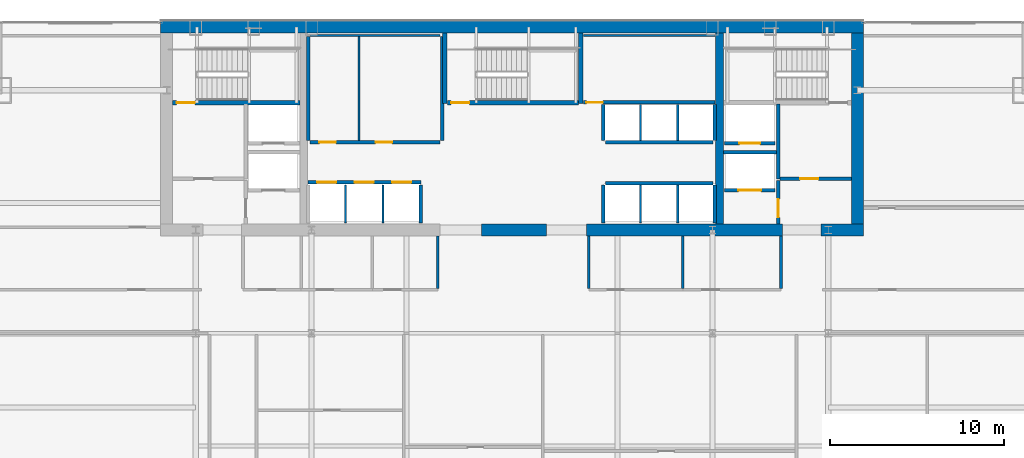
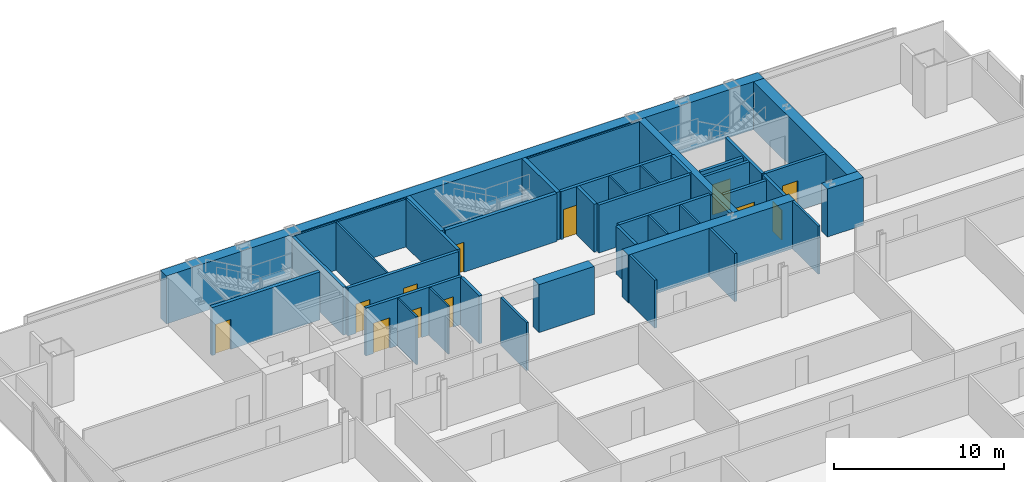
# One storey, part 28 of 32: 41 walls, 12 doors, 12 openings.
"""IFC4 building model written with IfcOpenShell, lengths in metres."""

from ifc_helpers import new_model, si_unit, direction, frame, frame_2d, origin, place, context, subcontext, project, spatial, rectangle, extrude, material, layer, layer_set, type_object, element, fill, save


model = new_model("IFC4")

# Units and contexts
model_context = context("Model", 3, precision=1e-05, world=origin(), true_north=direction((0.0, 1.0)))
body_context = subcontext(model_context, "Body", "Model", "MODEL_VIEW")
ifc_project = project(units=[si_unit("LENGTHUNIT", "METRE"), si_unit("AREAUNIT", "SQUARE_METRE"), si_unit("VOLUMEUNIT", "CUBIC_METRE"), si_unit("PLANEANGLEUNIT", "RADIAN"), si_unit("MASSUNIT", "GRAM", prefix="KILO")], contexts=[model_context])

# Site, building, storey
site_placement = place(None, origin())
site = spatial("IfcSite", under=ifc_project, at=site_placement, CompositionType="ELEMENT")
building_placement = place(site_placement, origin())
building = spatial("IfcBuilding", under=site, at=building_placement, Name="Khoronbel Lancet Exchange", CompositionType="ELEMENT")
storey_placement = place(building_placement, frame((0.0, 0.0, 125.39990234375)))
storey = spatial("IfcBuildingStorey", under=building, at=storey_placement, Name="L30", CompositionType="ELEMENT", Elevation=125.39990234375)

# Walls
ifc_material_1 = material(Name="Concrete C80/95", Category="concrete")
ifc_layer_1 = layer(ifc_material_1, 0.699951171875, Name="Concrete C80/95")
ifc_layer_set_1 = layer_set([ifc_layer_1], Name="Concrete C80/95")
wall_type_1 = type_object("IfcWallType", Name="WL-CW2", PredefinedType="SHEAR", material=ifc_layer_set_1)
wall_1_placement = place(storey_placement, frame((16.199951171875, 53.35009765625, 0.0), z_axis=(0.0, 0.0, 1.0), x_axis=(1.0, 0.0, 0.0)))
element("IfcWall", 1, at=wall_1_placement, inside=storey, type_object=wall_type_1, Name="Level L30 rear core north shear wall", PredefinedType="SHEAR", context=body_context, shape_type="SweptSolid", body=[
    extrude(rectangle(XDim=40.5, YDim=0.699951171875, at=frame_2d((20.25, 0.0))), origin(), (0.0, 0.0, 1.0), 3.440185546875),
])
wall_2_placement = place(storey_placement, frame((56.35009765625, 53.0, 0.0), z_axis=(0.0, 0.0, 1.0), x_axis=(0.0, -1.0, 0.0)))
element("IfcWall", 2, at=wall_2_placement, inside=storey, type_object=wall_type_1, Name="Level L30 rear core east shear wall", PredefinedType="SHEAR", context=body_context, shape_type="SweptSolid", body=[
    extrude(rectangle(XDim=11.0, YDim=0.699951171875, at=frame_2d((5.5, 0.0))), origin(), (0.0, 0.0, 1.0), 3.440185546875),
])
wall_3_placement = place(storey_placement, frame((38.449951171875, 41.64990234375, 0.0), z_axis=(0.0, 0.0, 1.0), x_axis=(-1.0, 0.0, 0.0)))
element("IfcWall", 3, at=wall_3_placement, inside=storey, type_object=wall_type_1, Name="Level L30 rear core south shear wall pier P3", PredefinedType="SHEAR", context=body_context, shape_type="SweptSolid", body=[
    extrude(rectangle(XDim=3.75, YDim=0.699951171875, at=frame_2d((1.875, 0.0))), origin(), (0.0, 0.0, 1.0), 3.440185546875),
])
wall_4_placement = place(storey_placement, frame((52.050048828125, 41.64990234375, 0.0), z_axis=(0.0, 0.0, 1.0), x_axis=(-1.0, 0.0, 0.0)))
element("IfcWall", 4, at=wall_4_placement, inside=storey, type_object=wall_type_1, Name="Level L30 rear core south shear wall pier P4", PredefinedType="SHEAR", context=body_context, shape_type="SweptSolid", body=[
    extrude(rectangle(XDim=11.300048828125, YDim=0.699951171875, at=frame_2d((5.64990234375, 0.0))), origin(), (0.0, 0.0, 1.0), 3.440185546875),
])
wall_5_placement = place(storey_placement, frame((56.699951171875, 41.64990234375, 0.0), z_axis=(0.0, 0.0, 1.0), x_axis=(-1.0, 0.0, 0.0)))
element("IfcWall", 5, at=wall_5_placement, inside=storey, type_object=wall_type_1, Name="Level L30 rear core south shear wall pier P5", PredefinedType="SHEAR", context=body_context, shape_type="SweptSolid", body=[
    extrude(rectangle(XDim=2.449951171875, YDim=0.699951171875, at=frame_2d((1.22509765625, 0.0))), origin(), (0.0, 0.0, 1.0), 3.440185546875),
])
ifc_material_2 = material(Name="Acoustic Metal-Stud & Mineral-Wool Gypsum Partition 120 mm", Category="gypsum")
ifc_layer_2 = layer(ifc_material_2, 0.1201171875, Name="Acoustic Metal-Stud & Mineral-Wool Gypsum Partition 120 mm")
ifc_layer_set_2 = layer_set([ifc_layer_2], Name="Acoustic Metal-Stud & Mineral-Wool Gypsum Partition 120 mm")
wall_type_2 = type_object("IfcWallType", Name="WL-PRT120", PredefinedType="PARTITIONING", material=ifc_layer_set_2)
for number, where, z_axis, x_axis, name in (
    (6, (32.179931640625, 38.280029296875, 0.0), (0.0, 0.0, 1.0), (0.0, 1.0, 0.0), "Level L30 interior partition PW-WC-3"),
    (7, (40.8798828125, 38.280029296875, 0.0), (0.0, 0.0, 1.0), (0.0, 1.0, 0.0), "Level L30 interior partition PW-NP-0"),
    (8, (46.300048828125, 38.280029296875, 0.0), (0.0, 0.0, 1.0), (0.0, 1.0, 0.0), "Level L30 interior partition PW-NP-M"),
    (9, (51.949951171875, 38.280029296875, 0.0), (0.0, 0.0, 1.0), (0.0, 1.0, 0.0), "Level L30 interior partition PW-NP-1"),
):
    element("IfcWall", number, at=place(storey_placement, frame(where, z_axis=z_axis, x_axis=x_axis)), inside=storey, type_object=wall_type_2, Name=name, PredefinedType="PARTITIONING", context=body_context, shape_type="SweptSolid", body=[
        extrude(rectangle(XDim=3.02001953125, YDim=0.14990234375, at=frame_2d((1.510009765625, 0.0))), origin(), (0.0, 0.0, 1.0), 3.440185546875),
    ])
ifc_material_3 = material(Name="Fire-Rated Metal-Stud & Mineral-Wool Gypsum Partition 120 mm", Category="gypsum")
ifc_layer_3 = layer(ifc_material_3, 0.1201171875, Name="Fire-Rated Metal-Stud & Mineral-Wool Gypsum Partition 120 mm")
ifc_layer_set_3 = layer_set([ifc_layer_3], Name="Fire-Rated Metal-Stud & Mineral-Wool Gypsum Partition 120 mm")
wall_type_3 = type_object("IfcWallType", Name="WL-PRT120F", PredefinedType="PARTITIONING", material=ifc_layer_set_3)
wall_6_placement = place(storey_placement, frame((24.804931640625, 52.860107421875, 0.0), z_axis=(0.0, 0.0, 1.0), x_axis=(1.0, 0.0, 0.0)))
element("IfcWall", 10, at=wall_6_placement, inside=storey, type_object=wall_type_3, Name="Level L30 interior partition CW-PL-RN", PredefinedType="PARTITIONING", context=body_context, shape_type="SweptSolid", body=[
    extrude(rectangle(XDim=7.510009765625, YDim=0.1201171875, at=frame_2d((3.7548828125, 0.0))), origin(), (0.0, 0.0, 1.0), 3.440185546875),
])
wall_7_placement = place(storey_placement, frame((27.633544921875, 46.804931640625, 0.0), z_axis=(0.0, 0.0, 1.0), x_axis=(0.0, 1.0, 0.0)))
element("IfcWall", 11, at=wall_7_placement, inside=storey, type_object=wall_type_3, Name="Level L30 interior partition CW-PL-RS1", PredefinedType="PARTITIONING", context=body_context, shape_type="SweptSolid", body=[
    extrude(rectangle(XDim=5.989990234375, YDim=0.1201171875, at=frame_2d((2.9951171875, 0.0))), origin(), (0.0, 0.0, 1.0), 3.440185546875),
])
for number, where, z_axis, x_axis, name in (
    (12, (26.860107421875, 42.050048828125, 0.0), (0.0, 0.0, 1.0), (0.0, 1.0, 0.0), "Level L30 interior partition CW-PM-D1"),
    (13, (29.02001953125, 42.050048828125, 0.0), (0.0, 0.0, 1.0), (0.0, 1.0, 0.0), "Level L30 interior partition CW-PM-D2"),
):
    element("IfcWall", number, at=place(storey_placement, frame(where, z_axis=z_axis, x_axis=x_axis)), inside=storey, type_object=wall_type_3, Name=name, PredefinedType="PARTITIONING", context=body_context, shape_type="SweptSolid", body=[
        extrude(rectangle(XDim=2.199951171875, YDim=0.1201171875, at=frame_2d((1.10009765625, 0.0))), origin(), (0.0, 0.0, 1.0), 3.440185546875),
    ])
for number, where, z_axis, x_axis, name in (
    (14, (43.860107421875, 46.804931640625, 0.0), (0.0, 0.0, 1.0), (0.0, 1.0, 0.0), "Level L30 interior partition CW-PH-D1"),
    (15, (46.0, 46.804931640625, 0.0), (0.0, 0.0, 1.0), (0.0, 1.0, 0.0), "Level L30 interior partition CW-PH-D2"),
):
    element("IfcWall", number, at=place(storey_placement, frame(where, z_axis=z_axis, x_axis=x_axis)), inside=storey, type_object=wall_type_3, Name=name, PredefinedType="PARTITIONING", context=body_context, shape_type="SweptSolid", body=[
        extrude(rectangle(XDim=2.090087890625, YDim=0.1201171875, at=frame_2d((1.044921875, 0.0))), origin(), (0.0, 0.0, 1.0), 3.440185546875),
    ])
for number, where, z_axis, x_axis, name in (
    (16, (43.860107421875, 42.050048828125, 0.0), (0.0, 0.0, 1.0), (0.0, 1.0, 0.0), "Level L30 interior partition CW-PX-D1"),
    (17, (46.0, 42.050048828125, 0.0), (0.0, 0.0, 1.0), (0.0, 1.0, 0.0), "Level L30 interior partition CW-PX-D2"),
):
    element("IfcWall", number, at=place(storey_placement, frame(where, z_axis=z_axis, x_axis=x_axis)), inside=storey, type_object=wall_type_3, Name=name, PredefinedType="PARTITIONING", context=body_context, shape_type="SweptSolid", body=[
        extrude(rectangle(XDim=2.195068359375, YDim=0.1201171875, at=frame_2d((1.09765625, 0.0))), origin(), (0.0, 0.0, 1.0), 3.440185546875),
    ])
wall_8_placement = place(storey_placement, frame((40.580078125, 52.860107421875, 0.0), z_axis=(0.0, 0.0, 1.0), x_axis=(1.0, 0.0, 0.0)))
element("IfcWall", 18, at=wall_8_placement, inside=storey, type_object=wall_type_3, Name="Level L30 interior partition CW-SUP-NE-N", PredefinedType="PARTITIONING", context=body_context, shape_type="SweptSolid", body=[
    extrude(rectangle(XDim=7.559814453125, YDim=0.1201171875, at=frame_2d((3.77978515625, 0.0))), origin(), (0.0, 0.0, 1.0), 3.440185546875),
])

# Wall, openings, doors
ifc_material_4 = material(Name="Autoclaved Aerated Concrete Blockwork 200 mm", Category="masonry")
ifc_layer_4 = layer(ifc_material_4, 0.199951171875, Name="Autoclaved Aerated Concrete Blockwork 200 mm")
ifc_layer_set_4 = layer_set([ifc_layer_4], Name="Autoclaved Aerated Concrete Blockwork 200 mm")
wall_type_4 = type_object("IfcWallType", Name="WL-PRT200", PredefinedType="PARTITIONING", material=ifc_layer_set_4)
wall_9_placement = place(storey_placement, frame((24.68994140625, 44.39990234375, 0.0), z_axis=(0.0, 0.0, 1.0), x_axis=(1.0, 0.0, 0.0)))
wall_9 = element("IfcWall", 19, at=wall_9_placement, inside=storey, type_object=wall_type_4, Name="Level L30 elevator hoistway landing front wall PMW", PredefinedType="PARTITIONING", context=body_context, shape_type="SweptSolid", body=[
    extrude(rectangle(XDim=6.530029296875, YDim=0.199951171875, at=frame_2d((3.26513671875, 0.0))), origin(), (0.0, 0.0, 1.0), 3.440185546875),
])
opening_1_placement = place(wall_9_placement, frame((0.530029296875, 0.0, 0.0)))
opening_1 = element("IfcOpeningElement", 20, at=opening_1_placement, cuts=wall_9, Name="Opening LD-PM1", PredefinedType="OPENING", context=body_context, shape_type="SweptSolid", body=[
    extrude(rectangle(XDim=1.10009765625, YDim=2.179931640625, at=frame_2d((0.550048828125, 1.08984375))), frame((0.0, 0.10986328125, 0.0), z_axis=(0.0, -1.0, 0.0), x_axis=(1.0, 0.0, 0.0)), (0.0, 0.0, 1.0), 0.219970703125),
])
opening_2_placement = place(wall_9_placement, frame((2.68994140625, 0.0, 0.0)))
opening_2 = element("IfcOpeningElement", 21, at=opening_2_placement, cuts=wall_9, Name="Opening LD-PM2", PredefinedType="OPENING", context=body_context, shape_type="SweptSolid", body=[
    extrude(rectangle(XDim=1.10009765625, YDim=2.179931640625, at=frame_2d((0.550048828125, 1.08984375))), frame((0.0, 0.10986328125, 0.0), z_axis=(0.0, -1.0, 0.0), x_axis=(1.0, 0.0, 0.0)), (0.0, 0.0, 1.0), 0.219970703125),
])
opening_3_placement = place(wall_9_placement, frame((4.85009765625, 0.0, 0.0)))
opening_3 = element("IfcOpeningElement", 22, at=opening_3_placement, cuts=wall_9, Name="Opening LD-PM3", PredefinedType="OPENING", context=body_context, shape_type="SweptSolid", body=[
    extrude(rectangle(XDim=1.10009765625, YDim=2.179931640625, at=frame_2d((0.550048828125, 1.08984375))), frame((0.0, 0.10986328125, 0.0), z_axis=(0.0, -1.0, 0.0), x_axis=(1.0, 0.0, 0.0)), (0.0, 0.0, 1.0), 0.219970703125),
])
ifc_material_5 = material(Name="Brushed Bronze Bi-Parting Elevator Landing Door", Category="steel")
door_type_1 = type_object("IfcDoorType", Name="DR-LD-PAX", OperationType="NOTDEFINED", PredefinedType="DOOR", material=ifc_material_5)
door_1_placement = place(opening_1_placement, origin())
door_1 = element("IfcDoor", 23, at=door_1_placement, inside=storey, type_object=door_type_1, Name="Elevator landing sliding door LD-PM1 L30", OperationType="SLIDING_TO_LEFT", OverallHeight=2.179931640625, OverallWidth=1.10009765625, PredefinedType="DOOR", context=body_context, shape_type="SweptSolid", body=[
    extrude(rectangle(XDim=1.10009765625, YDim=2.179931640625, at=frame_2d((0.550048828125, 1.08984375))), frame((0.0, 0.02490234375, 0.0), z_axis=(0.0, -1.0, 0.0), x_axis=(1.0, 0.0, 0.0)), (0.0, 0.0, 1.0), 0.050048828125),
])
fill(opening_1, door_1)
door_2_placement = place(opening_2_placement, origin())
door_2 = element("IfcDoor", 24, at=door_2_placement, inside=storey, type_object=door_type_1, Name="Elevator landing sliding door LD-PM2 L30", OperationType="SLIDING_TO_LEFT", OverallHeight=2.179931640625, OverallWidth=1.10009765625, PredefinedType="DOOR", context=body_context, shape_type="SweptSolid", body=[
    extrude(rectangle(XDim=1.10009765625, YDim=2.179931640625, at=frame_2d((0.550048828125, 1.08984375))), frame((0.0, 0.02490234375, 0.0), z_axis=(0.0, -1.0, 0.0), x_axis=(1.0, 0.0, 0.0)), (0.0, 0.0, 1.0), 0.050048828125),
])
fill(opening_2, door_2)
door_3_placement = place(opening_3_placement, origin())
door_3 = element("IfcDoor", 25, at=door_3_placement, inside=storey, type_object=door_type_1, Name="Elevator landing sliding door LD-PM3 L30", OperationType="SLIDING_TO_LEFT", OverallHeight=2.179931640625, OverallWidth=1.10009765625, PredefinedType="DOOR", context=body_context, shape_type="SweptSolid", body=[
    extrude(rectangle(XDim=1.10009765625, YDim=2.179931640625, at=frame_2d((0.550048828125, 1.08984375))), frame((0.0, 0.02490234375, 0.0), z_axis=(0.0, -1.0, 0.0), x_axis=(1.0, 0.0, 0.0)), (0.0, 0.0, 1.0), 0.050048828125),
])
fill(opening_3, door_3)

# Wall, opening, door
wall_10_placement = place(storey_placement, frame((51.610107421875, 43.949951171875, 0.0), z_axis=(0.0, 0.0, 1.0), x_axis=(-1.0, 0.0, 0.0)))
wall_10 = element("IfcWall", 26, at=wall_10_placement, inside=storey, type_object=wall_type_4, Name="Level L30 elevator hoistway landing front wall SVLE", PredefinedType="PARTITIONING", context=body_context, shape_type="SweptSolid", body=[
    extrude(rectangle(XDim=2.920166015625, YDim=0.199951171875, at=frame_2d((1.4599609375, 0.0))), origin(), (0.0, 0.0, 1.0), 3.440185546875),
])
opening_4_placement = place(wall_10_placement, frame((0.81005859375, 0.0, 0.0)))
opening_4 = element("IfcOpeningElement", 27, at=opening_4_placement, cuts=wall_10, Name="Opening LD-SVL2", PredefinedType="OPENING", context=body_context, shape_type="SweptSolid", body=[
    extrude(rectangle(XDim=1.300048828125, YDim=2.179931640625, at=frame_2d((0.64990234375, 1.08984375))), frame((0.0, 0.10986328125, 0.0), z_axis=(0.0, -1.0, 0.0), x_axis=(1.0, 0.0, 0.0)), (0.0, 0.0, 1.0), 0.219970703125),
])
ifc_material_6 = material(Name="Heavy-Duty Bi-Parting Goods Lift Landing Door", Category="steel")
door_type_2 = type_object("IfcDoorType", Name="DR-LD-SVL", OperationType="NOTDEFINED", PredefinedType="DOOR", material=ifc_material_6)
door_4_placement = place(opening_4_placement, origin())
door_4 = element("IfcDoor", 28, at=door_4_placement, inside=storey, type_object=door_type_2, Name="Elevator landing sliding door LD-SVL2 L30", OperationType="SLIDING_TO_LEFT", OverallHeight=2.179931640625, OverallWidth=1.300048828125, PredefinedType="DOOR", context=body_context, shape_type="SweptSolid", body=[
    extrude(rectangle(XDim=1.300048828125, YDim=2.179931640625, at=frame_2d((0.64990234375, 1.08984375))), frame((0.0, 0.02490234375, 0.0), z_axis=(0.0, -1.0, 0.0), x_axis=(1.0, 0.0, 0.0)), (0.0, 0.0, 1.0), 0.050048828125),
])
fill(opening_4, door_4)

wall_11_placement = place(storey_placement, frame((51.610107421875, 46.64990234375, 0.0), z_axis=(0.0, 0.0, 1.0), x_axis=(-1.0, 0.0, 0.0)))
wall_11 = element("IfcWall", 29, at=wall_11_placement, inside=storey, type_object=wall_type_4, Name="Level L30 elevator hoistway landing front wall FFLE", PredefinedType="PARTITIONING", context=body_context, shape_type="SweptSolid", body=[
    extrude(rectangle(XDim=2.920166015625, YDim=0.199951171875, at=frame_2d((1.4599609375, 0.0))), origin(), (0.0, 0.0, 1.0), 3.440185546875),
])
opening_5_placement = place(wall_11_placement, frame((0.860107421875, 0.0, 0.0)))
opening_5 = element("IfcOpeningElement", 30, at=opening_5_placement, cuts=wall_11, Name="Opening LD-FFL2", PredefinedType="OPENING", context=body_context, shape_type="SweptSolid", body=[
    extrude(rectangle(XDim=1.199951171875, YDim=2.179931640625, at=frame_2d((0.60009765625, 1.08984375))), frame((0.0, 0.10986328125, 0.0), z_axis=(0.0, -1.0, 0.0), x_axis=(1.0, 0.0, 0.0)), (0.0, 0.0, 1.0), 0.219970703125),
])
ifc_material_7 = material(Name="Fire-Rated Stainless Bi-Parting Firefighting Lift Door", Category="steel")
door_type_3 = type_object("IfcDoorType", Name="DR-LD-FFL", OperationType="NOTDEFINED", PredefinedType="DOOR", material=ifc_material_7)
door_5_placement = place(opening_5_placement, origin())
door_5 = element("IfcDoor", 31, at=door_5_placement, inside=storey, type_object=door_type_3, Name="Elevator landing sliding door LD-FFL2 L30", OperationType="SLIDING_TO_LEFT", OverallHeight=2.179931640625, OverallWidth=1.199951171875, PredefinedType="DOOR", context=body_context, shape_type="SweptSolid", body=[
    extrude(rectangle(XDim=1.199951171875, YDim=2.179931640625, at=frame_2d((0.60009765625, 1.08984375))), frame((0.0, 0.02490234375, 0.0), z_axis=(0.0, -1.0, 0.0), x_axis=(1.0, 0.0, 0.0)), (0.0, 0.0, 1.0), 0.050048828125),
])
fill(opening_5, door_5)

# Wall
wall_12_placement = place(storey_placement, frame((51.800048828125, 44.60009765625, 0.0), z_axis=(0.0, 0.0, 1.0), x_axis=(0.0, 1.0, 0.0)))
element("IfcWall", 32, at=wall_12_placement, inside=storey, type_object=wall_type_4, Name="Level L30 interior partition CW-FFLE-W", PredefinedType="PARTITIONING", context=body_context, shape_type="SweptSolid", body=[
    extrude(rectangle(XDim=4.2998046875, YDim=0.199951171875, at=frame_2d((2.14990234375, 0.0))), origin(), (0.0, 0.0, 1.0), 3.440185546875),
])

# Wall, opening, door
wall_13_placement = place(storey_placement, frame((51.89990234375, 44.60009765625, 0.0), z_axis=(0.0, 0.0, 1.0), x_axis=(1.0, 0.0, 0.0)))
wall_13 = element("IfcWall", 33, at=wall_13_placement, inside=storey, type_object=wall_type_4, Name="Level L30 interior partition CW-FFLE-S", PredefinedType="PARTITIONING", context=body_context, shape_type="SweptSolid", body=[
    extrude(rectangle(XDim=4.10009765625, YDim=0.199951171875, at=frame_2d((2.050048828125, 0.0))), origin(), (0.0, 0.0, 1.0), 3.440185546875),
])
opening_6_placement = place(wall_13_placement, frame((1.14990234375, 0.0, 0.0)))
opening_6 = element("IfcOpeningElement", 34, at=opening_6_placement, cuts=wall_13, Name="Opening FD1", PredefinedType="OPENING", context=body_context, shape_type="SweptSolid", body=[
    extrude(rectangle(XDim=1.050048828125, YDim=2.14990234375, at=frame_2d((0.52490234375, 1.074951171875))), frame((0.0, 0.10986328125, 0.0), z_axis=(0.0, -1.0, 0.0), x_axis=(1.0, 0.0, 0.0)), (0.0, 0.0, 1.0), 0.219970703125),
])
ifc_material_8 = material(Name="Fire-Rated Painted Steel Door Assembly", Category="steel")
door_type_4 = type_object("IfcDoorType", Name="DR-FD1", OperationType="NOTDEFINED", PredefinedType="DOOR", material=ifc_material_8)
door_6_placement = place(opening_6_placement, origin())
door_6 = element("IfcDoor", 35, at=door_6_placement, inside=storey, type_object=door_type_4, Name="East firefighting lobby FD90S door L30-1", OperationType="SINGLE_SWING_RIGHT", OverallHeight=2.14990234375, OverallWidth=1.050048828125, PredefinedType="DOOR", context=body_context, shape_type="SweptSolid", body=[
    extrude(rectangle(XDim=1.050048828125, YDim=2.14990234375, at=frame_2d((0.52490234375, 1.074951171875))), frame((0.0, 0.02490234375, 0.0), z_axis=(0.0, -1.0, 0.0), x_axis=(1.0, 0.0, 0.0)), (0.0, 0.0, 1.0), 0.050048828125),
])
fill(opening_6, door_6)

# Wall
wall_14_placement = place(storey_placement, frame((48.6298828125, 46.1201171875, 0.0), z_axis=(0.0, 0.0, 1.0), x_axis=(1.0, 0.0, 0.0)))
element("IfcWall", 36, at=wall_14_placement, inside=storey, type_object=wall_type_4, Name="Level L30 interior partition CW-FFL2-S", PredefinedType="PARTITIONING", context=body_context, shape_type="SweptSolid", body=[
    extrude(rectangle(XDim=3.070068359375, YDim=0.199951171875, at=frame_2d((1.53515625, 0.0))), origin(), (0.0, 0.0, 1.0), 3.440185546875),
])

# Wall, opening, door
wall_15_placement = place(storey_placement, frame((51.800048828125, 42.0, 0.0), z_axis=(0.0, 0.0, 1.0), x_axis=(0.0, 1.0, 0.0)))
wall_15 = element("IfcWall", 37, at=wall_15_placement, inside=storey, type_object=wall_type_4, Name="Level L30 interior partition CW-SVLE-E", PredefinedType="PARTITIONING", context=body_context, shape_type="SweptSolid", body=[
    extrude(rectangle(XDim=2.4951171875, YDim=0.199951171875, at=frame_2d((1.24755859375, 0.0))), origin(), (0.0, 0.0, 1.0), 3.440185546875),
])
opening_7_placement = place(wall_15_placement, frame((0.3798828125, 0.0, 0.0)))
opening_7 = element("IfcOpeningElement", 38, at=opening_7_placement, cuts=wall_15, Name="Opening FD1", PredefinedType="OPENING", context=body_context, shape_type="SweptSolid", body=[
    extrude(rectangle(XDim=1.050048828125, YDim=2.14990234375, at=frame_2d((0.52490234375, 1.074951171875))), frame((0.0, 0.10986328125, 0.0), z_axis=(0.0, -1.0, 0.0), x_axis=(1.0, 0.0, 0.0)), (0.0, 0.0, 1.0), 0.219970703125),
])
door_7_placement = place(opening_7_placement, origin())
door_7 = element("IfcDoor", 39, at=door_7_placement, inside=storey, type_object=door_type_4, Name="East service lift lobby door L30-1", OperationType="SINGLE_SWING_LEFT", OverallHeight=2.14990234375, OverallWidth=1.050048828125, PredefinedType="DOOR", context=body_context, shape_type="SweptSolid", body=[
    extrude(rectangle(XDim=1.050048828125, YDim=2.14990234375, at=frame_2d((0.52490234375, 1.074951171875))), frame((0.0, 0.02490234375, 0.0), z_axis=(0.0, -1.0, 0.0), x_axis=(1.0, 0.0, 0.0)), (0.0, 0.0, 1.0), 0.050048828125),
])
fill(opening_7, door_7)

# Walls
for number, where, z_axis, x_axis, name in (
    (40, (24.699951171875, 46.804931640625, 0.0), (0.0, 0.0, 1.0), (0.0, 1.0, 0.0), "Level L30 interior partition CW-PL-RW"),
    (41, (32.419921875, 46.804931640625, 0.0), (0.0, 0.0, 1.0), (0.0, 1.0, 0.0), "Level L30 interior partition CW-PL-RE"),
):
    element("IfcWall", number, at=place(storey_placement, frame(where, z_axis=z_axis, x_axis=x_axis)), inside=storey, type_object=wall_type_4, Name=name, PredefinedType="PARTITIONING", context=body_context, shape_type="SweptSolid", body=[
        extrude(rectangle(XDim=5.989990234375, YDim=0.199951171875, at=frame_2d((2.9951171875, 0.0))), origin(), (0.0, 0.0, 1.0), 3.440185546875),
    ])

# Wall, openings, doors
wall_16_placement = place(storey_placement, frame((24.804931640625, 46.699951171875, 0.0), z_axis=(0.0, 0.0, 1.0), x_axis=(1.0, 0.0, 0.0)))
wall_16 = element("IfcWall", 42, at=wall_16_placement, inside=storey, type_object=wall_type_4, Name="Level L30 interior partition CW-PL-RF", PredefinedType="PARTITIONING", context=body_context, shape_type="SweptSolid", body=[
    extrude(rectangle(XDim=7.510009765625, YDim=0.199951171875, at=frame_2d((3.7548828125, 0.0))), origin(), (0.0, 0.0, 1.0), 3.440185546875),
])
opening_8_placement = place(wall_16_placement, frame((0.550048828125, 0.0, 0.0)))
opening_8 = element("IfcOpeningElement", 43, at=opening_8_placement, cuts=wall_16, Name="Opening FD3", PredefinedType="OPENING", context=body_context, shape_type="SweptSolid", body=[
    extrude(rectangle(XDim=0.949951171875, YDim=2.10009765625, at=frame_2d((0.47509765625, 1.050048828125))), frame((0.0, 0.10986328125, 0.0), z_axis=(0.0, -1.0, 0.0), x_axis=(1.0, 0.0, 0.0)), (0.0, 0.0, 1.0), 0.219970703125),
])
opening_9_placement = place(wall_16_placement, frame((3.78369140625, 0.0, 0.0)))
opening_9 = element("IfcOpeningElement", 44, at=opening_9_placement, cuts=wall_16, Name="Opening FD3", PredefinedType="OPENING", context=body_context, shape_type="SweptSolid", body=[
    extrude(rectangle(XDim=0.949951171875, YDim=2.10009765625, at=frame_2d((0.47509765625, 1.050048828125))), frame((0.0, 0.10986328125, 0.0), z_axis=(0.0, -1.0, 0.0), x_axis=(1.0, 0.0, 0.0)), (0.0, 0.0, 1.0), 0.219970703125),
])
ifc_material_9 = material(Name="Fire-Rated Steel Plant & Riser Door Assembly", Category="steel")
door_type_5 = type_object("IfcDoorType", Name="DR-FD3", OperationType="NOTDEFINED", PredefinedType="DOOR", material=ifc_material_9)
door_8_placement = place(opening_8_placement, origin())
door_8 = element("IfcDoor", 45, at=door_8_placement, inside=storey, type_object=door_type_5, Name="Reclaimed PL A door L30-1", OperationType="SINGLE_SWING_RIGHT", OverallHeight=2.10009765625, OverallWidth=0.949951171875, PredefinedType="DOOR", context=body_context, shape_type="SweptSolid", body=[
    extrude(rectangle(XDim=0.949951171875, YDim=2.10009765625, at=frame_2d((0.47509765625, 1.050048828125))), frame((0.0, 0.02490234375, 0.0), z_axis=(0.0, -1.0, 0.0), x_axis=(1.0, 0.0, 0.0)), (0.0, 0.0, 1.0), 0.050048828125),
])
fill(opening_8, door_8)
door_9_placement = place(opening_9_placement, origin())
door_9 = element("IfcDoor", 46, at=door_9_placement, inside=storey, type_object=door_type_5, Name="Reclaimed PL B door L30-2", OperationType="SINGLE_SWING_LEFT", OverallHeight=2.10009765625, OverallWidth=0.949951171875, PredefinedType="DOOR", context=body_context, shape_type="SweptSolid", body=[
    extrude(rectangle(XDim=0.949951171875, YDim=2.10009765625, at=frame_2d((0.47509765625, 1.050048828125))), frame((0.0, 0.02490234375, 0.0), z_axis=(0.0, -1.0, 0.0), x_axis=(1.0, 0.0, 0.0)), (0.0, 0.0, 1.0), 0.050048828125),
])
fill(opening_9, door_9)

# Walls
wall_17_placement = place(storey_placement, frame((31.179931640625, 42.050048828125, 0.0), z_axis=(0.0, 0.0, 1.0), x_axis=(0.0, 1.0, 0.0)))
element("IfcWall", 47, at=wall_17_placement, inside=storey, type_object=wall_type_4, Name="Level L30 interior partition CW-PM-E", PredefinedType="PARTITIONING", context=body_context, shape_type="SweptSolid", body=[
    extrude(rectangle(XDim=2.199951171875, YDim=0.199951171875, at=frame_2d((1.10009765625, 0.0))), origin(), (0.0, 0.0, 1.0), 3.440185546875),
])
wall_18_placement = place(storey_placement, frame((41.824951171875, 46.699951171875, 0.0), z_axis=(0.0, 0.0, 1.0), x_axis=(1.0, 0.0, 0.0)))
element("IfcWall", 48, at=wall_18_placement, inside=storey, type_object=wall_type_4, Name="Level L30 interior partition CW-PH-EXP", PredefinedType="PARTITIONING", context=body_context, shape_type="SweptSolid", body=[
    extrude(rectangle(XDim=6.2099609375, YDim=0.199951171875, at=frame_2d((3.10498046875, 0.0))), origin(), (0.0, 0.0, 1.0), 3.440185546875),
])
for number, where, z_axis, x_axis, name in (
    (49, (41.719970703125, 46.804931640625, 0.0), (0.0, 0.0, 1.0), (0.0, 1.0, 0.0), "Level L30 interior partition CW-PH-W"),
    (50, (48.139892578125, 46.804931640625, 0.0), (0.0, 0.0, 1.0), (0.0, 1.0, 0.0), "Level L30 interior partition CW-PH-E"),
):
    element("IfcWall", number, at=place(storey_placement, frame(where, z_axis=z_axis, x_axis=x_axis)), inside=storey, type_object=wall_type_4, Name=name, PredefinedType="PARTITIONING", context=body_context, shape_type="SweptSolid", body=[
        extrude(rectangle(XDim=2.090087890625, YDim=0.199951171875, at=frame_2d((1.044921875, 0.0))), origin(), (0.0, 0.0, 1.0), 3.440185546875),
    ])
wall_19_placement = place(storey_placement, frame((41.824951171875, 44.35009765625, 0.0), z_axis=(0.0, 0.0, 1.0), x_axis=(1.0, 0.0, 0.0)))
element("IfcWall", 51, at=wall_19_placement, inside=storey, type_object=wall_type_4, Name="Level L30 interior partition CW-PX-EXP", PredefinedType="PARTITIONING", context=body_context, shape_type="SweptSolid", body=[
    extrude(rectangle(XDim=6.2099609375, YDim=0.199951171875, at=frame_2d((3.10498046875, 0.0))), origin(), (0.0, 0.0, 1.0), 3.440185546875),
])
for number, where, z_axis, x_axis, name in (
    (52, (41.719970703125, 42.050048828125, 0.0), (0.0, 0.0, 1.0), (0.0, 1.0, 0.0), "Level L30 interior partition CW-PX-W"),
    (53, (48.139892578125, 42.050048828125, 0.0), (0.0, 0.0, 1.0), (0.0, 1.0, 0.0), "Level L30 interior partition CW-PX-E"),
):
    element("IfcWall", number, at=place(storey_placement, frame(where, z_axis=z_axis, x_axis=x_axis)), inside=storey, type_object=wall_type_4, Name=name, PredefinedType="PARTITIONING", context=body_context, shape_type="SweptSolid", body=[
        extrude(rectangle(XDim=2.195068359375, YDim=0.199951171875, at=frame_2d((1.09765625, 0.0))), origin(), (0.0, 0.0, 1.0), 3.440185546875),
    ])

# Wall, opening, door
wall_20_placement = place(storey_placement, frame((40.580078125, 49.0, 0.0), z_axis=(0.0, 0.0, 1.0), x_axis=(1.0, 0.0, 0.0)))
wall_20 = element("IfcWall", 54, at=wall_20_placement, inside=storey, type_object=wall_type_4, Name="Level L30 interior partition CW-SUP-NE-S", PredefinedType="PARTITIONING", context=body_context, shape_type="SweptSolid", body=[
    extrude(rectangle(XDim=7.559814453125, YDim=0.199951171875, at=frame_2d((3.77978515625, 0.0))), origin(), (0.0, 0.0, 1.0), 3.440185546875),
])
opening_10_placement = place(wall_20_placement, frame((0.159912109375, 0.0, 0.0)))
opening_10 = element("IfcOpeningElement", 55, at=opening_10_placement, cuts=wall_20, Name="Opening FD3", PredefinedType="OPENING", context=body_context, shape_type="SweptSolid", body=[
    extrude(rectangle(XDim=0.949951171875, YDim=2.10009765625, at=frame_2d((0.47509765625, 1.050048828125))), frame((0.0, 0.10986328125, 0.0), z_axis=(0.0, -1.0, 0.0), x_axis=(1.0, 0.0, 0.0)), (0.0, 0.0, 1.0), 0.219970703125),
])
door_10_placement = place(opening_10_placement, origin())
door_10 = element("IfcDoor", 56, at=door_10_placement, inside=storey, type_object=door_type_5, Name="Core NE support room door L30-1", OperationType="SINGLE_SWING_RIGHT", OverallHeight=2.10009765625, OverallWidth=0.949951171875, PredefinedType="DOOR", context=body_context, shape_type="SweptSolid", body=[
    extrude(rectangle(XDim=0.949951171875, YDim=2.10009765625, at=frame_2d((0.47509765625, 1.050048828125))), frame((0.0, 0.02490234375, 0.0), z_axis=(0.0, -1.0, 0.0), x_axis=(1.0, 0.0, 0.0)), (0.0, 0.0, 1.0), 0.050048828125),
])
fill(opening_10, door_10)

# Walls
ifc_layer_5 = layer(ifc_material_1, 0.449951171875, Name="Concrete C80/95")
ifc_layer_set_5 = layer_set([ifc_layer_5], Name="Concrete C80/95")
wall_type_5 = type_object("IfcWallType", Name="WL-SW1", PredefinedType="SHEAR", material=ifc_layer_set_5)
wall_21_placement = place(storey_placement, frame((48.39990234375, 42.0, 0.0), z_axis=(0.0, 0.0, 1.0), x_axis=(0.0, 1.0, 0.0)))
element("IfcWall", 57, at=wall_21_placement, inside=storey, type_object=wall_type_5, Name="Level L30 rear core internal spine shear wall IE", PredefinedType="SHEAR", context=body_context, shape_type="SweptSolid", body=[
    extrude(rectangle(XDim=11.0, YDim=0.449951171875, at=frame_2d((5.5, 0.0))), origin(), (0.0, 0.0, 1.0), 3.440185546875),
])
ifc_material_10 = material(Name="Concrete C60/75", Category="concrete")
ifc_layer_6 = layer(ifc_material_10, 0.260009765625, Name="Concrete C60/75")
ifc_layer_set_6 = layer_set([ifc_layer_6], Name="Concrete C60/75")
wall_type_6 = type_object("IfcWallType", Name="WL-SW3", PredefinedType="SHEAR", material=ifc_layer_set_6)
for number, where, z_axis, x_axis, name in (
    (58, (32.580078125, 48.949951171875, 0.0), (0.0, 0.0, 1.0), (0.0, 1.0, 0.0), "Level L30 central stairwell structural shear wall ST3W"),
    (59, (40.419921875, 48.949951171875, 0.0), (0.0, 0.0, 1.0), (0.0, 1.0, 0.0), "Level L30 central stairwell structural shear wall ST3E"),
):
    element("IfcWall", number, at=place(storey_placement, frame(where, z_axis=z_axis, x_axis=x_axis)), inside=storey, type_object=wall_type_6, Name=name, PredefinedType="SHEAR", context=body_context, shape_type="SweptSolid", body=[
        extrude(rectangle(XDim=4.050048828125, YDim=0.260009765625, at=frame_2d((2.02490234375, 0.0))), origin(), (0.0, 0.0, 1.0), 3.440185546875),
    ])

# Wall, opening, door
wall_22_placement = place(storey_placement, frame((16.89990234375, 48.97998046875, 0.0), z_axis=(0.0, 0.0, 1.0), x_axis=(1.0, 0.0, 0.0)))
wall_22 = element("IfcWall", 60, at=wall_22_placement, inside=storey, type_object=wall_type_6, Name="Level L30 west stairwell structural south wall", PredefinedType="SHEAR", context=body_context, shape_type="SweptSolid", body=[
    extrude(rectangle(XDim=7.320068359375, YDim=0.239990234375, at=frame_2d((3.66015625, 0.0))), origin(), (0.0, 0.0, 1.0), 3.440185546875),
])
opening_11_placement = place(wall_22_placement, frame((0.219970703125, 0.0, 0.0)))
opening_11 = element("IfcOpeningElement", 61, at=opening_11_placement, cuts=wall_22, Name="Opening SD1", PredefinedType="OPENING", context=body_context, shape_type="SweptSolid", body=[
    extrude(rectangle(XDim=1.050048828125, YDim=2.14990234375, at=frame_2d((0.52490234375, 1.074951171875))), frame((0.0, 0.1298828125, 0.0), z_axis=(0.0, -1.0, 0.0), x_axis=(1.0, 0.0, 0.0)), (0.0, 0.0, 1.0), 0.260009765625),
])
ifc_material_11 = material(Name="Fire-Rated Steel Stairwell Door Assembly", Category="steel")
door_type_6 = type_object("IfcDoorType", Name="DR-SD1", OperationType="NOTDEFINED", PredefinedType="DOOR", material=ifc_material_11)
door_11_placement = place(opening_11_placement, origin())
door_11 = element("IfcDoor", 62, at=door_11_placement, inside=storey, type_object=door_type_6, Name="Protected exit stair ST1 door L30", OperationType="SINGLE_SWING_LEFT", OverallHeight=2.14990234375, OverallWidth=1.050048828125, PredefinedType="DOOR", context=body_context, shape_type="SweptSolid", body=[
    extrude(rectangle(XDim=1.050048828125, YDim=2.14990234375, at=frame_2d((0.52490234375, 1.074951171875))), frame((0.0, 0.02490234375, 0.0), z_axis=(0.0, -1.0, 0.0), x_axis=(1.0, 0.0, 0.0)), (0.0, 0.0, 1.0), 0.050048828125),
])
fill(opening_11, door_11)

wall_23_placement = place(storey_placement, frame((32.719970703125, 48.97998046875, 0.0), z_axis=(0.0, 0.0, 1.0), x_axis=(1.0, 0.0, 0.0)))
wall_23 = element("IfcWall", 63, at=wall_23_placement, inside=storey, type_object=wall_type_6, Name="Level L30 central stairwell structural south wall", PredefinedType="SHEAR", context=body_context, shape_type="SweptSolid", body=[
    extrude(rectangle(XDim=7.56005859375, YDim=0.239990234375, at=frame_2d((3.780029296875, 0.0))), origin(), (0.0, 0.0, 1.0), 3.440185546875),
])
opening_12_placement = place(wall_23_placement, frame((0.219970703125, 0.0, 0.0)))
opening_12 = element("IfcOpeningElement", 64, at=opening_12_placement, cuts=wall_23, Name="Opening SD1", PredefinedType="OPENING", context=body_context, shape_type="SweptSolid", body=[
    extrude(rectangle(XDim=1.050048828125, YDim=2.14990234375, at=frame_2d((0.52490234375, 1.074951171875))), frame((0.0, 0.1298828125, 0.0), z_axis=(0.0, -1.0, 0.0), x_axis=(1.0, 0.0, 0.0)), (0.0, 0.0, 1.0), 0.260009765625),
])
door_12_placement = place(opening_12_placement, origin())
door_12 = element("IfcDoor", 65, at=door_12_placement, inside=storey, type_object=door_type_6, Name="Protected exit stair ST3 door L30", OperationType="SINGLE_SWING_LEFT", OverallHeight=2.14990234375, OverallWidth=1.050048828125, PredefinedType="DOOR", context=body_context, shape_type="SweptSolid", body=[
    extrude(rectangle(XDim=1.050048828125, YDim=2.14990234375, at=frame_2d((0.52490234375, 1.074951171875))), frame((0.0, 0.02490234375, 0.0), z_axis=(0.0, -1.0, 0.0), x_axis=(1.0, 0.0, 0.0)), (0.0, 0.0, 1.0), 0.050048828125),
])
fill(opening_12, door_12)

save(model, "model.ifc")
